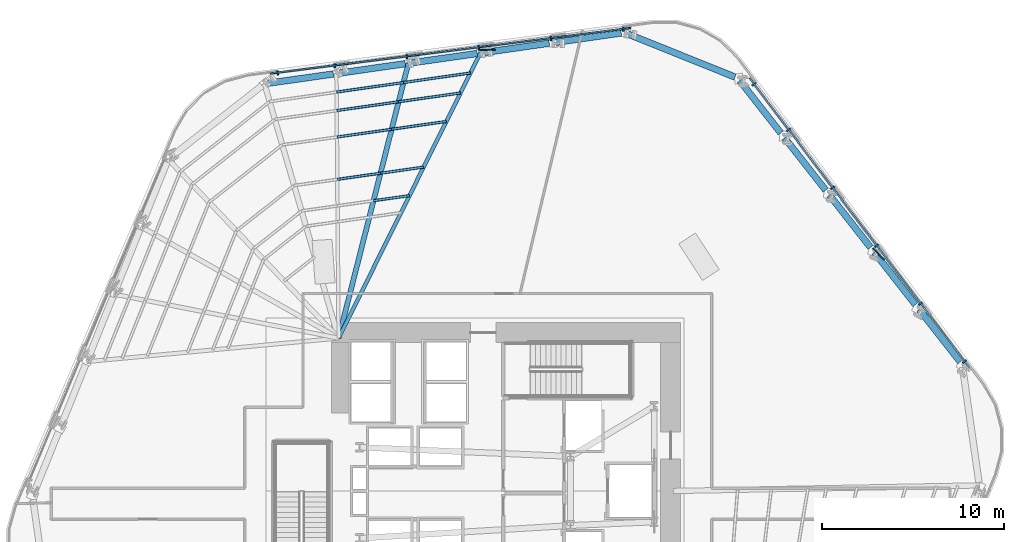
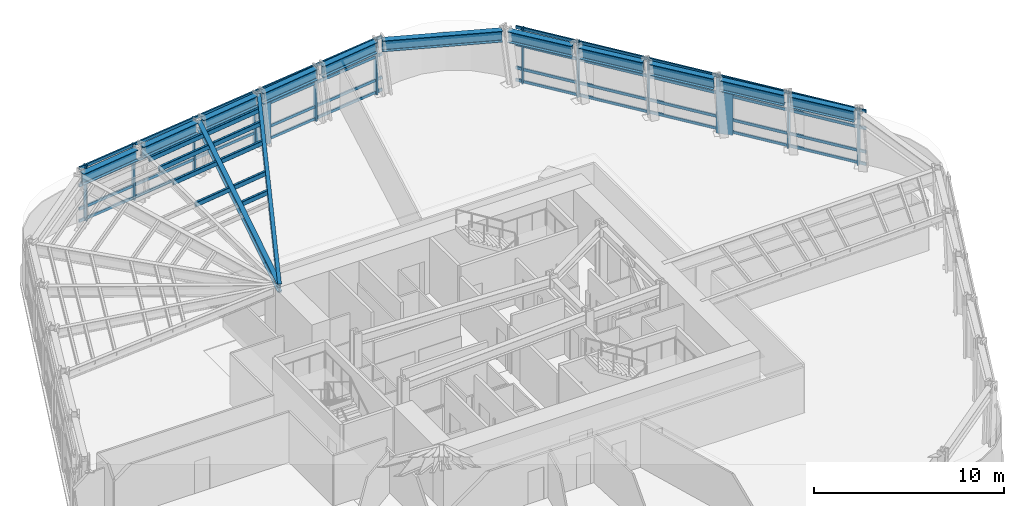
# One storey, part 6 of 16: 31 members, 13 beams, 2 elements without a shape of their own.
"""IFC4 building model written with IfcOpenShell, lengths in metres."""

from ifc_helpers import new_model, si_unit, direction, frame, origin, origin_2d, place, context, subcontext, project, spatial, rectangle, hollow_rectangle, i_section, extrude, material, layer, layer_set, material_profile, profile_set, type_object, element, aggregate, save


model = new_model("IFC4")

# Units and contexts
model_context = context("Model", 3, precision=1e-05, world=origin(), true_north=direction((0.0, 1.0)))
body_context = subcontext(model_context, "Body", "Model", "MODEL_VIEW")
ifc_project = project(units=[si_unit("LENGTHUNIT", "METRE"), si_unit("AREAUNIT", "SQUARE_METRE"), si_unit("VOLUMEUNIT", "CUBIC_METRE"), si_unit("PLANEANGLEUNIT", "RADIAN"), si_unit("MASSUNIT", "GRAM", prefix="KILO")], contexts=[model_context])

# Site, building, storey
site_placement = place(None, origin())
site = spatial("IfcSite", under=ifc_project, at=site_placement, CompositionType="ELEMENT")
building_placement = place(site_placement, origin())
building = spatial("IfcBuilding", under=site, at=building_placement, Name="Valkerne Bourse Tower", CompositionType="ELEMENT")
storey_placement = place(building_placement, frame((0.0, 0.0, 54.39990234375)))
storey = spatial("IfcBuildingStorey", under=building, at=storey_placement, Name="L13", CompositionType="ELEMENT", Elevation=54.39990234375)

# Beams
ifc_material_1 = material(Name="Steel ASTM A992", Category="steel")
ifc_material_profile_1 = material_profile(ifc_material_1, i_section(OverallWidth=0.279296875, OverallDepth=0.46240234375, WebThickness=0.0107421875, FlangeThickness=0.017333984375, FilletRadius=0.017822265625, at=origin_2d()), Name="W18X76")
ifc_profile_set_1 = profile_set([ifc_material_profile_1], Name="Steel ASTM A992")
beam_type_1 = type_object("IfcBeamType", Name="BM-W18X76", PredefinedType="BEAM", material=ifc_profile_set_1)
beam_1_placement = place(storey_placement, frame((41.435791015625, 50.510986328125, 3.348876953125), z_axis=(-0.246030786106, -0.96926201426, 0.0), x_axis=(0.96926201426, -0.246030786106, 0.0)))
element("IfcBeam", 1, at=beam_1_placement, inside=storey, type_object=beam_type_1, Name="L13 Radial Composite Floor Beam 09", PredefinedType="BEAM", context=body_context, shape_type="SweptSolid", body=[
    extrude(i_section(OverallWidth=0.279296875, OverallDepth=0.46240234375, WebThickness=0.0107421875, FlangeThickness=0.017333984375, FilletRadius=0.017822265625, at=origin_2d()), origin(), (0.0, 0.0, 1.0), 15.59033203125),
])
ifc_material_profile_2 = material_profile(ifc_material_1, i_section(OverallWidth=0.209228515625, OverallDepth=0.533447265625, WebThickness=0.01025390625, FlangeThickness=0.015625, FilletRadius=0.017822265625, at=origin_2d()), Name="W21X62")
ifc_profile_set_2 = profile_set([ifc_material_profile_2], Name="Steel ASTM A992")
beam_type_2 = type_object("IfcBeamType", Name="BM-W21X62", PredefinedType="JOIST", material=ifc_profile_set_2)
beam_2_placement = place(storey_placement, frame((45.391845703125, 51.073974609375, 3.3134765625), z_axis=(-0.445142551398, -0.895459719326, 0.0), x_axis=(0.895459719326, -0.445142551398, 0.0)))
element("IfcBeam", 2, at=beam_2_placement, inside=storey, type_object=beam_type_2, Name="L13 Radial Composite Floor Beam 08", PredefinedType="JOIST", context=body_context, shape_type="SweptSolid", body=[
    extrude(i_section(OverallWidth=0.209228515625, OverallDepth=0.533447265625, WebThickness=0.01025390625, FlangeThickness=0.015625, FilletRadius=0.017822265625, at=origin_2d()), origin(), (0.0, 0.0, 1.0), 17.50390625),
])
ifc_material_profile_3 = material_profile(ifc_material_1, i_section(OverallWidth=0.358154296875, OverallDepth=0.7060546875, WebThickness=0.018310546875, FlangeThickness=0.0302734375, FilletRadius=0.02294921875, at=origin_2d()), Name="W27X178")
ifc_profile_set_3 = profile_set([ifc_material_profile_3], Name="Steel ASTM A992")
beam_type_3 = type_object("IfcBeamType", Name="BM-W27X178", PredefinedType="SPANDREL", material=ifc_profile_set_3)
for number, where, z_axis, x_axis, name in (
    (3, (71.77099609375, 34.10107421875, 3.22705078125), (-0.617042646345, 0.786929712612, 0.0), (-0.786929712612, -0.617042646345, 0.0), "L13 Hexagonal Spandrel Ring Beam 00"),
    (4, (69.305419921875, 37.24560546875, 3.22705078125), (-0.617042646345, 0.786929712612, 0.0), (-0.786929712612, -0.617042646345, 0.0), "L13 Hexagonal Spandrel Ring Beam 01"),
    (5, (66.839599609375, 40.39013671875, 3.22705078125), (-0.617042646345, 0.786929712612, 0.0), (-0.786929712612, -0.617042646345, 0.0), "L13 Hexagonal Spandrel Ring Beam 02"),
    (6, (64.3740234375, 43.534912109375, 3.22705078125), (-0.617042646345, 0.786929712612, 0.0), (-0.786929712612, -0.617042646345, 0.0), "L13 Hexagonal Spandrel Ring Beam 03"),
    (7, (61.908447265625, 46.679443359375, 3.22705078125), (-0.617042646345, 0.786929712612, 0.0), (-0.786929712612, -0.617042646345, 0.0), "L13 Hexagonal Spandrel Ring Beam 04"),
):
    element("IfcBeam", number, at=place(storey_placement, frame(where, z_axis=z_axis, x_axis=x_axis)), inside=storey, type_object=beam_type_3, Name=name, PredefinedType="SPANDREL", context=body_context, shape_type="SweptSolid", body=[
        extrude(i_section(OverallWidth=0.358154296875, OverallDepth=0.7060546875, WebThickness=0.018310546875, FlangeThickness=0.0302734375, FilletRadius=0.02294921875, at=origin_2d()), origin(), (0.0, 0.0, 1.0), 3.656005859375),
    ])
beam_3_placement = place(storey_placement, frame((59.389892578125, 49.753662109375, 3.22705078125), z_axis=(-0.927834923747, 0.372991091417, 0.0), x_axis=(-0.372991091417, -0.927834923747, 0.0)))
element("IfcBeam", 8, at=beam_3_placement, inside=storey, type_object=beam_type_3, Name="L13 Hexagonal Spandrel Ring Beam 05", PredefinedType="SPANDREL", context=body_context, shape_type="SweptSolid", body=[
    extrude(i_section(OverallWidth=0.358154296875, OverallDepth=0.7060546875, WebThickness=0.018310546875, FlangeThickness=0.0302734375, FilletRadius=0.02294921875, at=origin_2d()), origin(), (0.0, 0.0, 1.0), 6.38916015625),
])
beam_4_placement = place(storey_placement, frame((53.135986328125, 52.176025390625, 3.22705078125), z_axis=(-0.99002414459, -0.140897810946, 0.0), x_axis=(0.140897810946, -0.99002414459, 0.0)))
element("IfcBeam", 9, at=beam_4_placement, inside=storey, type_object=beam_type_3, Name="L13 Hexagonal Spandrel Ring Beam 06", PredefinedType="SPANDREL", context=body_context, shape_type="SweptSolid", body=[
    extrude(i_section(OverallWidth=0.358154296875, OverallDepth=0.7060546875, WebThickness=0.018310546875, FlangeThickness=0.0302734375, FilletRadius=0.02294921875, at=origin_2d()), origin(), (0.0, 0.0, 1.0), 3.656005859375),
])
beam_5_placement = place(storey_placement, frame((49.1796875, 51.613037109375, 3.22705078125), z_axis=(-0.990022818804, -0.140907126319, 0.0), x_axis=(0.140907126319, -0.990022818804, 0.0)))
element("IfcBeam", 10, at=beam_5_placement, inside=storey, type_object=beam_type_3, Name="L13 Hexagonal Spandrel Ring Beam 07", PredefinedType="SPANDREL", context=body_context, shape_type="SweptSolid", body=[
    extrude(i_section(OverallWidth=0.358154296875, OverallDepth=0.7060546875, WebThickness=0.018310546875, FlangeThickness=0.0302734375, FilletRadius=0.02294921875, at=origin_2d()), origin(), (0.0, 0.0, 1.0), 3.65576171875),
])
for number, where, z_axis, x_axis, name in (
    (11, (45.2236328125, 51.050048828125, 3.22705078125), (-0.99002414459, -0.140897810946, 0.0), (0.140897810946, -0.99002414459, 0.0), "L13 Hexagonal Spandrel Ring Beam 08"),
    (12, (41.267578125, 50.48681640625, 3.22705078125), (-0.990033457277, -0.140832359463, 0.0), (0.140832359463, -0.990033457277, 0.0), "L13 Hexagonal Spandrel Ring Beam 09"),
):
    element("IfcBeam", number, at=place(storey_placement, frame(where, z_axis=z_axis, x_axis=x_axis)), inside=storey, type_object=beam_type_3, Name=name, PredefinedType="SPANDREL", context=body_context, shape_type="SweptSolid", body=[
        extrude(i_section(OverallWidth=0.358154296875, OverallDepth=0.7060546875, WebThickness=0.018310546875, FlangeThickness=0.0302734375, FilletRadius=0.02294921875, at=origin_2d()), origin(), (0.0, 0.0, 1.0), 3.656005859375),
    ])
beam_6_placement = place(storey_placement, frame((37.311279296875, 49.923828125, 3.22705078125), z_axis=(-0.990022818804, -0.140907126319, 0.0), x_axis=(0.140907126319, -0.990022818804, 0.0)))
element("IfcBeam", 13, at=beam_6_placement, inside=storey, type_object=beam_type_3, Name="L13 Hexagonal Spandrel Ring Beam 10", PredefinedType="SPANDREL", context=body_context, shape_type="SweptSolid", body=[
    extrude(i_section(OverallWidth=0.358154296875, OverallDepth=0.7060546875, WebThickness=0.018310546875, FlangeThickness=0.0302734375, FilletRadius=0.02294921875, at=origin_2d()), origin(), (0.0, 0.0, 1.0), 3.65576171875),
])

# Curtain wall, members
ifc_material_2 = material(Name="Aluminium AA 6063-T6", Category="aluminium")
ifc_layer = layer(ifc_material_2, 0.22509765625)
ifc_layer_set = layer_set([ifc_layer], Name="Aluminium AA 6063-T6")
curtain_wall_type = type_object("IfcCurtainWallType", Name="CW-01", PredefinedType="NOTDEFINED", material=ifc_layer_set)
curtain_wall_1_placement = place(storey_placement, origin())
curtain_wall_1 = element("IfcCurtainWall", 14, at=curtain_wall_1_placement, inside=storey, type_object=curtain_wall_type, Name="L13 Hexagonal Stick Curtain Wall Face 1", PredefinedType="NOTDEFINED")
ifc_material_profile_4 = material_profile(ifc_material_2, rectangle(XDim=0.090087890625, YDim=0.239990234375, at=origin_2d()), Name="CWM-90X240")
ifc_profile_set_4 = profile_set([ifc_material_profile_4], Name="Aluminium AA 6063-T6")
member_type_1 = type_object("IfcMemberType", Name="CW-MUL-240X90", PredefinedType="MULLION", material=ifc_profile_set_4)
member_1_placement = place(storey_placement, frame((71.999267578125, 34.112548828125, 0.0), z_axis=(0.0, 0.0, 1.0), x_axis=(-0.604606641485, 0.79652420495, 0.0)))
member_1 = element("IfcMember", 15, at=member_1_placement, type_object=member_type_1, Name="CW-L13-F1 Jamb Mullion 00A", PredefinedType="MULLION", context=body_context, shape_type="SweptSolid", body=[
    extrude(rectangle(XDim=0.090087890625, YDim=0.239990234375, at=origin_2d()), origin(), (0.0, 0.0, 1.0), 3.580078125),
])
member_2_placement = place(storey_placement, frame((69.583251953125, 37.29541015625, 0.0), z_axis=(0.0, 0.0, 1.0), x_axis=(-0.604578712348, 0.796545403964, 0.0)))
member_2 = element("IfcMember", 16, at=member_2_placement, type_object=member_type_1, Name="CW-L13-F1 Jamb Mullion 01A", PredefinedType="MULLION", context=body_context, shape_type="SweptSolid", body=[
    extrude(rectangle(XDim=0.090087890625, YDim=0.239990234375, at=origin_2d()), origin(), (0.0, 0.0, 1.0), 3.580078125),
])
member_3_placement = place(storey_placement, frame((67.167236328125, 40.478515625, 0.0), z_axis=(0.0, 0.0, 1.0), x_axis=(-0.604606641485, 0.79652420495, 0.0)))
member_3 = element("IfcMember", 17, at=member_3_placement, type_object=member_type_1, Name="CW-L13-F1 Jamb Mullion 02A", PredefinedType="MULLION", context=body_context, shape_type="SweptSolid", body=[
    extrude(rectangle(XDim=0.090087890625, YDim=0.239990234375, at=origin_2d()), origin(), (0.0, 0.0, 1.0), 3.580078125),
])
member_4_placement = place(storey_placement, frame((64.751220703125, 43.661376953125, 0.0), z_axis=(0.0, 0.0, 1.0), x_axis=(-0.604594589965, 0.796533352588, 0.0)))
member_4 = element("IfcMember", 18, at=member_4_placement, type_object=member_type_1, Name="CW-L13-F1 Jamb Mullion 03A", PredefinedType="MULLION", context=body_context, shape_type="SweptSolid", body=[
    extrude(rectangle(XDim=0.090087890625, YDim=0.239990234375, at=origin_2d()), origin(), (0.0, 0.0, 1.0), 3.580078125),
])
member_5_placement = place(storey_placement, frame((62.335205078125, 46.844482421875, 0.0), z_axis=(0.0, 0.0, 1.0), x_axis=(-0.604606641485, 0.79652420495, 0.0)))
member_5 = element("IfcMember", 19, at=member_5_placement, type_object=member_type_1, Name="CW-L13-F1 Jamb Mullion 04A", PredefinedType="MULLION", context=body_context, shape_type="SweptSolid", body=[
    extrude(rectangle(XDim=0.090087890625, YDim=0.239990234375, at=origin_2d()), origin(), (0.0, 0.0, 1.0), 3.580078125),
])
member_6_placement = place(storey_placement, frame((60.42724609375, 49.358154296875, 0.0), z_axis=(0.0, 0.0, 1.0), x_axis=(-0.604606641485, 0.79652420495, 0.0)))
member_6 = element("IfcMember", 20, at=member_6_placement, type_object=member_type_1, Name="CW-L13-F1 Jamb Mullion 04B", PredefinedType="MULLION", context=body_context, shape_type="SweptSolid", body=[
    extrude(rectangle(XDim=0.090087890625, YDim=0.239990234375, at=origin_2d()), origin(), (0.0, 0.0, 1.0), 3.580078125),
])

curtain_wall_2_placement = place(storey_placement, origin())
curtain_wall_2 = element("IfcCurtainWall", 21, at=curtain_wall_2_placement, inside=storey, type_object=curtain_wall_type, Name="L13 Hexagonal Stick Curtain Wall Face 2", PredefinedType="NOTDEFINED")
member_7_placement = place(storey_placement, frame((53.239990234375, 52.37939453125, 0.0), z_axis=(0.0, 0.0, 1.0), x_axis=(-0.992115722578, -0.125325149169, 0.0)))
member_7 = element("IfcMember", 22, at=member_7_placement, type_object=member_type_1, Name="CW-L13-F2 Jamb Mullion 00A", PredefinedType="MULLION", context=body_context, shape_type="SweptSolid", body=[
    extrude(rectangle(XDim=0.090087890625, YDim=0.239990234375, at=origin_2d()), origin(), (0.0, 0.0, 1.0), 3.580078125),
])
member_8_placement = place(storey_placement, frame((49.275390625, 51.878662109375, 0.0), z_axis=(0.0, 0.0, 1.0), x_axis=(-0.992112610749, -0.125349780988, 0.0)))
member_8 = element("IfcMember", 23, at=member_8_placement, type_object=member_type_1, Name="CW-L13-F2 Jamb Mullion 01A", PredefinedType="MULLION", context=body_context, shape_type="SweptSolid", body=[
    extrude(rectangle(XDim=0.090087890625, YDim=0.239990234375, at=origin_2d()), origin(), (0.0, 0.0, 1.0), 3.580078125),
])
member_9_placement = place(storey_placement, frame((45.310791015625, 51.377685546875, 0.0), z_axis=(0.0, 0.0, 1.0), x_axis=(-0.992115722578, -0.125325149169, 0.0)))
member_9 = element("IfcMember", 24, at=member_9_placement, type_object=member_type_1, Name="CW-L13-F2 Jamb Mullion 02A", PredefinedType="MULLION", context=body_context, shape_type="SweptSolid", body=[
    extrude(rectangle(XDim=0.090087890625, YDim=0.239990234375, at=origin_2d()), origin(), (0.0, 0.0, 1.0), 3.580078125),
])
member_10_placement = place(storey_placement, frame((41.346435546875, 50.876953125, 0.0), z_axis=(0.0, 0.0, 1.0), x_axis=(-0.992115722578, -0.125325149169, 0.0)))
member_10 = element("IfcMember", 25, at=member_10_placement, type_object=member_type_1, Name="CW-L13-F2 Jamb Mullion 03A", PredefinedType="MULLION", context=body_context, shape_type="SweptSolid", body=[
    extrude(rectangle(XDim=0.090087890625, YDim=0.239990234375, at=origin_2d()), origin(), (0.0, 0.0, 1.0), 3.580078125),
])
member_11_placement = place(storey_placement, frame((37.3818359375, 50.376220703125, 0.0), z_axis=(0.0, 0.0, 1.0), x_axis=(-0.992112610749, -0.125349780988, 0.0)))
member_11 = element("IfcMember", 26, at=member_11_placement, type_object=member_type_1, Name="CW-L13-F2 Jamb Mullion 04A", PredefinedType="MULLION", context=body_context, shape_type="SweptSolid", body=[
    extrude(rectangle(XDim=0.090087890625, YDim=0.239990234375, at=origin_2d()), origin(), (0.0, 0.0, 1.0), 3.580078125),
])
member_12_placement = place(storey_placement, frame((34.250732421875, 49.980712890625, 0.0), z_axis=(0.0, 0.0, 1.0), x_axis=(-0.992112610749, -0.125349780988, 0.0)))
member_12 = element("IfcMember", 27, at=member_12_placement, type_object=member_type_1, Name="CW-L13-F2 Jamb Mullion 04B", PredefinedType="MULLION", context=body_context, shape_type="SweptSolid", body=[
    extrude(rectangle(XDim=0.090087890625, YDim=0.239990234375, at=origin_2d()), origin(), (0.0, 0.0, 1.0), 3.580078125),
])

# Member
ifc_material_profile_5 = material_profile(ifc_material_2, rectangle(XDim=0.090087890625, YDim=0.179931640625, at=origin_2d()), Name="CWT-90X180")
ifc_profile_set_5 = profile_set([ifc_material_profile_5], Name="Aluminium AA 6063-T6")
member_type_2 = type_object("IfcMemberType", Name="CW-TRN-180X90", PredefinedType="USERDEFINED", material=ifc_profile_set_5)
member_13_placement = place(storey_placement, frame((72.26904296875, 33.790283203125, 0.1201171875), z_axis=(-0.604600145715, 0.796529135564, 0.0), x_axis=(-0.796529135564, -0.604600145715, 0.0)))
member_13 = element("IfcMember", 28, at=member_13_placement, type_object=member_type_2, Name="CW-L13-F1 Continuous Face Transom 1", ObjectType="TRANSOM", PredefinedType="USERDEFINED", context=body_context, shape_type="SweptSolid", body=[
    extrude(rectangle(XDim=0.090087890625, YDim=0.179931640625, at=origin_2d()), origin(), (0.0, 0.0, 1.0), 19.97998046875),
])

member_14_placement = place(storey_placement, frame((72.26904296875, 33.790283203125, 0.900146484375), z_axis=(-0.604600145715, 0.796529135564, 0.0), x_axis=(-0.796529135564, -0.604600145715, 0.0)))
member_14 = element("IfcMember", 29, at=member_14_placement, type_object=member_type_2, Name="CW-L13-F1 Continuous Face Transom 2", ObjectType="TRANSOM", PredefinedType="USERDEFINED", context=body_context, shape_type="SweptSolid", body=[
    extrude(rectangle(XDim=0.090087890625, YDim=0.179931640625, at=origin_2d()), origin(), (0.0, 0.0, 1.0), 19.97998046875),
])

member_15_placement = place(storey_placement, frame((72.26904296875, 33.790283203125, 2.400146484375), z_axis=(-0.604600145715, 0.796529135564, 0.0), x_axis=(-0.796529135564, -0.604600145715, 0.0)))
member_15 = element("IfcMember", 30, at=member_15_placement, type_object=member_type_2, Name="CW-L13-F1 Continuous Face Transom 3", ObjectType="TRANSOM", PredefinedType="USERDEFINED", context=body_context, shape_type="SweptSolid", body=[
    extrude(rectangle(XDim=0.090087890625, YDim=0.179931640625, at=origin_2d()), origin(), (0.0, 0.0, 1.0), 19.97998046875),
])

member_16_placement = place(storey_placement, frame((72.26904296875, 33.790283203125, 3.5), z_axis=(-0.604600145715, 0.796529135564, 0.0), x_axis=(-0.796529135564, -0.604600145715, 0.0)))
member_16 = element("IfcMember", 31, at=member_16_placement, type_object=member_type_2, Name="CW-L13-F1 Continuous Face Transom 4", ObjectType="TRANSOM", PredefinedType="USERDEFINED", context=body_context, shape_type="SweptSolid", body=[
    extrude(rectangle(XDim=0.090087890625, YDim=0.179931640625, at=origin_2d()), origin(), (0.0, 0.0, 1.0), 19.97998046875),
])

aggregate(curtain_wall_1, [member_13, member_14, member_15, member_16, member_1, member_2, member_3, member_4, member_5, member_6])

member_17_placement = place(storey_placement, frame((53.654052734375, 52.451904296875, 0.1201171875), z_axis=(-0.992114794338, -0.125332497205, 0.0), x_axis=(0.125332497205, -0.992114794338, 0.0)))
member_17 = element("IfcMember", 32, at=member_17_placement, type_object=member_type_2, Name="CW-L13-F2 Continuous Face Transom 1", ObjectType="TRANSOM", PredefinedType="USERDEFINED", context=body_context, shape_type="SweptSolid", body=[
    extrude(rectangle(XDim=0.090087890625, YDim=0.179931640625, at=origin_2d()), origin(), (0.0, 0.0, 1.0), 19.97998046875),
])

member_18_placement = place(storey_placement, frame((53.654052734375, 52.451904296875, 0.900146484375), z_axis=(-0.992114794338, -0.125332497205, 0.0), x_axis=(0.125332497205, -0.992114794338, 0.0)))
member_18 = element("IfcMember", 33, at=member_18_placement, type_object=member_type_2, Name="CW-L13-F2 Continuous Face Transom 2", ObjectType="TRANSOM", PredefinedType="USERDEFINED", context=body_context, shape_type="SweptSolid", body=[
    extrude(rectangle(XDim=0.090087890625, YDim=0.179931640625, at=origin_2d()), origin(), (0.0, 0.0, 1.0), 19.97998046875),
])

member_19_placement = place(storey_placement, frame((53.654052734375, 52.451904296875, 2.400146484375), z_axis=(-0.992114794338, -0.125332497205, 0.0), x_axis=(0.125332497205, -0.992114794338, 0.0)))
member_19 = element("IfcMember", 34, at=member_19_placement, type_object=member_type_2, Name="CW-L13-F2 Continuous Face Transom 3", ObjectType="TRANSOM", PredefinedType="USERDEFINED", context=body_context, shape_type="SweptSolid", body=[
    extrude(rectangle(XDim=0.090087890625, YDim=0.179931640625, at=origin_2d()), origin(), (0.0, 0.0, 1.0), 19.97998046875),
])

member_20_placement = place(storey_placement, frame((53.654052734375, 52.451904296875, 3.5), z_axis=(-0.992114794338, -0.125332497205, 0.0), x_axis=(0.125332497205, -0.992114794338, 0.0)))
member_20 = element("IfcMember", 35, at=member_20_placement, type_object=member_type_2, Name="CW-L13-F2 Continuous Face Transom 4", ObjectType="TRANSOM", PredefinedType="USERDEFINED", context=body_context, shape_type="SweptSolid", body=[
    extrude(rectangle(XDim=0.090087890625, YDim=0.179931640625, at=origin_2d()), origin(), (0.0, 0.0, 1.0), 19.97998046875),
])

aggregate(curtain_wall_2, [member_17, member_18, member_19, member_20, member_7, member_8, member_9, member_10, member_11, member_12])

# Members
ifc_material_3 = material(Name="Bronze Anodised Aluminium AA 6063-T6", Category="aluminium")
ifc_material_profile_6 = material_profile(ifc_material_3, rectangle(XDim=0.070068359375, YDim=0.89990234375, at=origin_2d()), Name="FIN-70X900")
ifc_profile_set_6 = profile_set([ifc_material_profile_6], Name="Bronze Anodised Aluminium AA 6063-T6")
member_type_3 = type_object("IfcMemberType", Name="FIN-SOLAR-900", PredefinedType="USERDEFINED", material=ifc_profile_set_6)
for number, where, z_axis, x_axis, name in (
    (36, (67.27783203125, 40.03515625, 0.004150390625), (0.0, 0.0, 1.0), (0.708503052372, 0.705707747428, 0.0), "L13 Bronze Anodised Solar Fin F1-02"),
    (37, (45.75, 51.251708984375, 0.004150390625), (0.0, 0.0, 1.0), (-0.015867327532, 0.999874106034, 0.0), "L13 Bronze Anodised Solar Fin F2-02"),
):
    element("IfcMember", number, at=place(storey_placement, frame(where, z_axis=z_axis, x_axis=x_axis)), inside=storey, type_object=member_type_3, Name=name, ObjectType="SOLAR_FIN", PredefinedType="USERDEFINED", context=body_context, shape_type="SweptSolid", body=[
        extrude(rectangle(XDim=0.070068359375, YDim=0.89990234375, at=origin_2d()), origin(), (0.0, 0.0, 1.0), 3.572021484375),
    ])
ifc_material_4 = material(Name="Steel ASTM A500 Grade C", Category="steel")
ifc_material_profile_7 = material_profile(ifc_material_4, hollow_rectangle(XDim=0.14990234375, YDim=0.300048828125, WallThickness=0.012451171875, OuterFilletRadius=0.02490234375, at=origin_2d()), Name="HSS300X150X12.5")
ifc_profile_set_7 = profile_set([ifc_material_profile_7], Name="Steel ASTM A500 Grade C")
member_type_4 = type_object("IfcMemberType", Name="MBR-HSS300X150X12.5", PredefinedType="PURLIN", material=ifc_profile_set_7)
member_21_placement = place(storey_placement, frame((41.49609375, 43.237060546875, 3.420166015625), z_axis=(-0.990010490435, -0.140993719112, 0.0), x_axis=(0.140993719112, -0.990010490435, 0.0)))
element("IfcMember", 38, at=member_21_placement, inside=storey, type_object=member_type_4, Name="L13 Secondary Composite Floor Purlin M-08", PredefinedType="PURLIN", context=body_context, shape_type="SweptSolid", body=[
    extrude(hollow_rectangle(XDim=0.14990234375, YDim=0.300048828125, WallThickness=0.012451171875, OuterFilletRadius=0.02490234375, at=origin_2d()), origin(), (0.0, 0.0, 1.0), 1.998291015625),
])
for number, where, z_axis, x_axis, name in (
    (39, (43.521728515625, 47.312255859375, 3.420166015625), (-0.990020114233, -0.140926127507, 0.0), (0.140926127507, -0.990020114233, 0.0), "L13 Secondary Composite Floor Purlin O-08"),
    (40, (40.51513671875, 46.88427734375, 3.420166015625), (-0.990020114233, -0.140926127507, 0.0), (0.140926127507, -0.990020114233, 0.0), "L13 Secondary Composite Floor Purlin O-09"),
):
    element("IfcMember", number, at=place(storey_placement, frame(where, z_axis=z_axis, x_axis=x_axis)), inside=storey, type_object=member_type_4, Name=name, PredefinedType="PURLIN", context=body_context, shape_type="SweptSolid", body=[
        extrude(hollow_rectangle(XDim=0.14990234375, YDim=0.300048828125, WallThickness=0.012451171875, OuterFilletRadius=0.02490234375, at=origin_2d()), origin(), (0.0, 0.0, 1.0), 3.036865234375),
    ])
member_22_placement = place(storey_placement, frame((42.275146484375, 44.804443359375, 3.420166015625), z_axis=(-0.990018621303, -0.140936615088, 0.0), x_axis=(0.140936615088, -0.990018621303, 0.0)))
element("IfcMember", 41, at=member_22_placement, inside=storey, type_object=member_type_4, Name="L13 Secondary Composite Floor Purlin Z-08", PredefinedType="PURLIN", context=body_context, shape_type="SweptSolid", body=[
    extrude(hollow_rectangle(XDim=0.14990234375, YDim=0.300048828125, WallThickness=0.012451171875, OuterFilletRadius=0.02490234375, at=origin_2d()), origin(), (0.0, 0.0, 1.0), 2.3974609375),
])
member_23_placement = place(storey_placement, frame((39.901611328125, 44.466552734375, 3.420166015625), z_axis=(-0.990020643716, -0.140922407786, 0.0), x_axis=(0.140922407786, -0.990020643716, 0.0)))
element("IfcMember", 42, at=member_23_placement, inside=storey, type_object=member_type_4, Name="L13 Secondary Composite Floor Purlin Z-09", PredefinedType="PURLIN", context=body_context, shape_type="SweptSolid", body=[
    extrude(hollow_rectangle(XDim=0.14990234375, YDim=0.300048828125, WallThickness=0.012451171875, OuterFilletRadius=0.02490234375, at=origin_2d()), origin(), (0.0, 0.0, 1.0), 2.397705078125),
])
for number, where, z_axis, x_axis, name in (
    (43, (44.301025390625, 48.879638671875, 3.420166015625), (-0.990027487638, -0.140874318885, 0.0), (0.140874318885, -0.990027487638, 0.0), "L13 Secondary Composite Floor Purlin T-08"),
    (44, (40.898681640625, 48.3955078125, 3.420166015625), (-0.99001616586, -0.140953862437, 0.0), (0.140953862437, -0.99001616586, 0.0), "L13 Secondary Composite Floor Purlin T-09"),
):
    element("IfcMember", number, at=place(storey_placement, frame(where, z_axis=z_axis, x_axis=x_axis)), inside=storey, type_object=member_type_4, Name=name, PredefinedType="PURLIN", context=body_context, shape_type="SweptSolid", body=[
        extrude(hollow_rectangle(XDim=0.14990234375, YDim=0.300048828125, WallThickness=0.012451171875, OuterFilletRadius=0.02490234375, at=origin_2d()), origin(), (0.0, 0.0, 1.0), 3.4365234375),
    ])
for number, where, z_axis, x_axis, name in (
    (45, (44.846435546875, 49.976806640625, 3.420166015625), (-0.990021628772, -0.140915487307, 0.0), (0.140915487307, -0.990021628772, 0.0), "L13 Secondary Composite Floor Purlin U-08"),
    (46, (41.167236328125, 49.453125, 3.420166015625), (-0.990021628772, -0.140915487307, 0.0), (0.140915487307, -0.990021628772, 0.0), "L13 Secondary Composite Floor Purlin U-09"),
):
    element("IfcMember", number, at=place(storey_placement, frame(where, z_axis=z_axis, x_axis=x_axis)), inside=storey, type_object=member_type_4, Name=name, PredefinedType="PURLIN", context=body_context, shape_type="SweptSolid", body=[
        extrude(hollow_rectangle(XDim=0.14990234375, YDim=0.300048828125, WallThickness=0.012451171875, OuterFilletRadius=0.02490234375, at=origin_2d()), origin(), (0.0, 0.0, 1.0), 3.71630859375),
    ])

save(model, "model.ifc")
